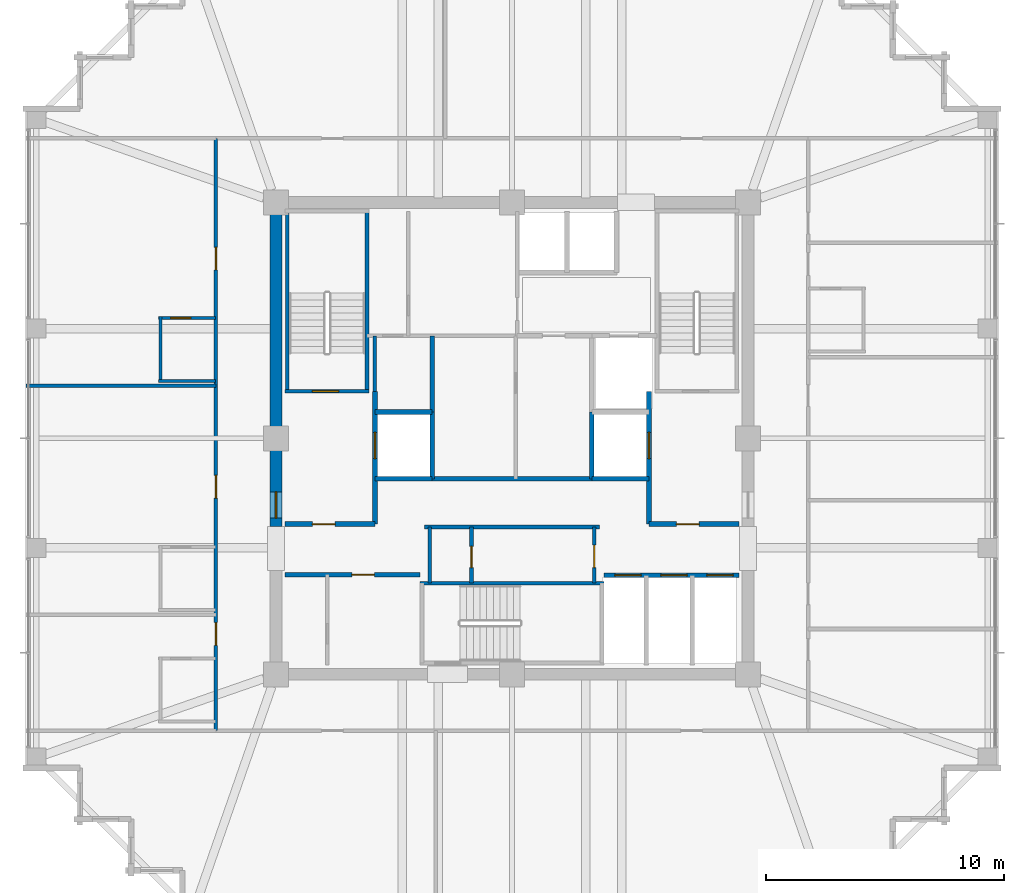
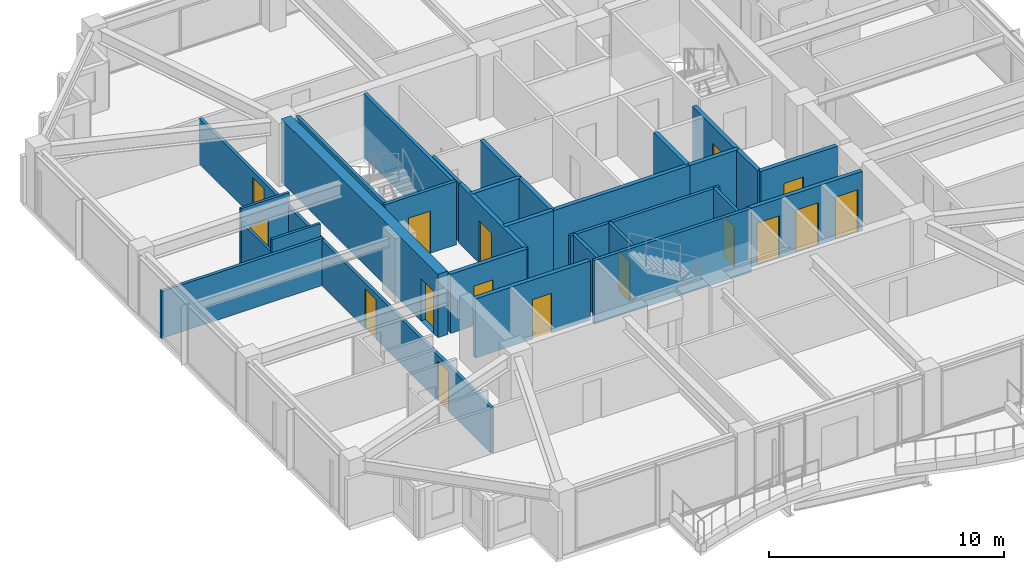
# One storey, part 31 of 36: 28 walls, 16 doors, 16 openings.
"""IFC4 building model written with IfcOpenShell, lengths in metres."""

from ifc_helpers import new_model, si_unit, direction, frame, frame_2d, origin, place, context, subcontext, project, spatial, rectangle, extrude, material, layer, layer_set, type_object, element, fill, save


model = new_model("IFC4")

# Units and contexts
model_context = context("Model", 3, precision=1e-05, world=origin(), true_north=direction((0.0, 1.0)))
body_context = subcontext(model_context, "Body", "Model", "MODEL_VIEW")
ifc_project = project(units=[si_unit("LENGTHUNIT", "METRE"), si_unit("AREAUNIT", "SQUARE_METRE"), si_unit("VOLUMEUNIT", "CUBIC_METRE"), si_unit("PLANEANGLEUNIT", "RADIAN"), si_unit("MASSUNIT", "GRAM", prefix="KILO")], contexts=[model_context])

# Site, building, storey
site_placement = place(None, origin())
site = spatial("IfcSite", under=ifc_project, at=site_placement, CompositionType="ELEMENT")
building_placement = place(site_placement, origin())
building = spatial("IfcBuilding", under=site, at=building_placement, Name="Kolvaren Belvedere", CompositionType="ELEMENT")
storey_placement = place(building_placement, frame((0.0, 0.0, 193.199951171875)))
storey = spatial("IfcBuildingStorey", under=building, at=storey_placement, Name="L56", CompositionType="ELEMENT", Elevation=193.199951171875)

# Wall, opening, door
ifc_material_1 = material(Name="Concrete C50/60", Category="concrete")
ifc_layer_1 = layer(ifc_material_1, 0.5)
ifc_layer_set_1 = layer_set([ifc_layer_1], Name="Concrete C50/60")
wall_type_1 = type_object("IfcWallType", Name="CW-CORE-500", PredefinedType="SHEAR", material=ifc_layer_set_1)
wall_1_placement = place(storey_placement, frame((-9.89990234375, -3.699951171875, 0.0), z_axis=(0.0, 0.0, 1.0), x_axis=(0.0, 1.0, 0.0)))
wall_1 = element("IfcWall", 1, at=wall_1_placement, inside=storey, type_object=wall_type_1, Name="L56 West Core Shear Wall 2", PredefinedType="SHEAR", context=body_context, shape_type="SweptSolid", body=[
    extrude(rectangle(XDim=13.349853515625, YDim=0.5, at=frame_2d((6.6748046875, 0.0))), origin(), (0.0, 0.0, 1.0), 3.300048828125),
])
opening_1_placement = place(wall_1_placement, frame((0.35009765625, 0.0, 0.0)))
opening_1 = element("IfcOpeningElement", 2, at=opening_1_placement, cuts=wall_1, Name="Opening D-FD90", PredefinedType="OPENING", context=body_context, shape_type="SweptSolid", body=[
    extrude(rectangle(XDim=1.10009765625, YDim=2.199951171875, at=frame_2d((0.550048828125, 1.10009765625))), frame((0.0, 0.260009765625, 0.0), z_axis=(0.0, -1.0, 0.0), x_axis=(1.0, 0.0, 0.0)), (0.0, 0.0, 1.0), 0.52001953125),
])
ifc_material_2 = material(Name="Painted hollow stainless steel", Category="steel")
door_type_1 = type_object("IfcDoorType", Name="DR-FD90-1100", OperationType="NOTDEFINED", PredefinedType="DOOR", material=ifc_material_2)
door_1_placement = place(opening_1_placement, origin())
door_1 = element("IfcDoor", 3, at=door_1_placement, inside=storey, type_object=door_type_1, Name="L56 West Firefighting Lobby Fire Door", OperationType="SINGLE_SWING_LEFT", OverallHeight=2.199951171875, OverallWidth=1.10009765625, PredefinedType="DOOR", context=body_context, shape_type="SweptSolid", body=[
    extrude(rectangle(XDim=1.10009765625, YDim=2.199951171875, at=frame_2d((0.550048828125, 1.10009765625))), frame((0.0, 0.02490234375, 0.0), z_axis=(0.0, -1.0, 0.0), x_axis=(1.0, 0.0, 0.0)), (0.0, 0.0, 1.0), 0.050048828125),
])
fill(opening_1, door_1)

ifc_material_3 = material(Name="Concrete C50/60", Category="concrete")
ifc_layer_2 = layer(ifc_material_3, 0.159912109375)
ifc_layer_set_2 = layer_set([ifc_layer_2], Name="Concrete C50/60")
wall_type_2 = type_object("IfcWallType", Name="CW-STAIR-160", PredefinedType="SHEAR", material=ifc_layer_set_2)
wall_2_placement = place(storey_placement, frame((-9.52001953125, 1.969970703125, 0.0), z_axis=(0.0, 0.0, 1.0), x_axis=(1.0, 0.0, 0.0)))
wall_2 = element("IfcWall", 4, at=wall_2_placement, inside=storey, type_object=wall_type_2, Name="L56 Stair ST-1 South Shear Wall", PredefinedType="SHEAR", context=body_context, shape_type="SweptSolid", body=[
    extrude(rectangle(XDim=3.52001953125, YDim=0.159912109375, at=frame_2d((1.760009765625, 0.0))), origin(), (0.0, 0.0, 1.0), 3.300048828125),
])
opening_2_placement = place(wall_2_placement, frame((1.14990234375, 0.0, 0.0)))
opening_2 = element("IfcOpeningElement", 5, at=opening_2_placement, cuts=wall_2, Name="Opening D-FD90", PredefinedType="OPENING", context=body_context, shape_type="SweptSolid", body=[
    extrude(rectangle(XDim=1.10009765625, YDim=2.199951171875, at=frame_2d((0.550048828125, 1.10009765625))), frame((0.0, 0.08984375, 0.0), z_axis=(0.0, -1.0, 0.0), x_axis=(1.0, 0.0, 0.0)), (0.0, 0.0, 1.0), 0.179931640625),
])
door_2_placement = place(opening_2_placement, origin())
door_2 = element("IfcDoor", 6, at=door_2_placement, inside=storey, type_object=door_type_1, Name="L56 Stair ST-1 Fire Door", OperationType="SINGLE_SWING_LEFT", OverallHeight=2.199951171875, OverallWidth=1.10009765625, PredefinedType="DOOR", context=body_context, shape_type="SweptSolid", body=[
    extrude(rectangle(XDim=1.10009765625, YDim=2.199951171875, at=frame_2d((0.550048828125, 1.10009765625))), frame((0.0, 0.02490234375, 0.0), z_axis=(0.0, -1.0, 0.0), x_axis=(1.0, 0.0, 0.0)), (0.0, 0.0, 1.0), 0.050048828125),
])
fill(opening_2, door_2)

# Walls
for number, where, z_axis, x_axis, name in (
    (7, (-9.429931640625, 1.969970703125, 0.0), (0.0, 0.0, 1.0), (0.0, 1.0, 0.0), "L56 Stair ST-1 West Shear Wall"),
    (8, (-6.080078125, 1.969970703125, 0.0), (0.0, 0.0, 1.0), (0.0, 1.0, 0.0), "L56 Stair ST-1 East Shear Wall"),
):
    element("IfcWall", number, at=place(storey_placement, frame(where, z_axis=z_axis, x_axis=x_axis)), inside=storey, type_object=wall_type_2, Name=name, PredefinedType="SHEAR", context=body_context, shape_type="SweptSolid", body=[
        extrude(rectangle(XDim=7.56005859375, YDim=0.159912109375, at=frame_2d((3.780029296875, 0.0))), origin(), (0.0, 0.0, 1.0), 3.300048828125),
    ])
wall_3_placement = place(storey_placement, frame((-3.860107421875, -6.080078125, 0.0), z_axis=(0.0, 0.0, 1.0), x_axis=(1.0, 0.0, 0.0)))
element("IfcWall", 9, at=wall_3_placement, inside=storey, type_object=wall_type_2, Name="L56 Stair ST-3 North Shear Wall", PredefinedType="SHEAR", context=body_context, shape_type="SweptSolid", body=[
    extrude(rectangle(XDim=7.72021484375, YDim=0.159912109375, at=frame_2d((3.860107421875, 0.0))), origin(), (0.0, 0.0, 1.0), 3.300048828125),
])

# Wall, openings, doors
ifc_material_4 = material(Name="Gypsum fire-rated partition assembly", Category="gypsum")
ifc_layer_3 = layer(ifc_material_4, 0.14990234375)
ifc_layer_set_3 = layer_set([ifc_layer_3], Name="Gypsum fire-rated partition assembly")
wall_type_3 = type_object("IfcWallType", Name="WL-CORR-150", PredefinedType="PARTITIONING", material=ifc_layer_set_3)
wall_4_placement = place(storey_placement, frame((-12.419921875, -12.260009765625, 0.0), z_axis=(0.0, 0.0, 1.0), x_axis=(0.0, 1.0, 0.0)))
wall_4 = element("IfcWall", 10, at=wall_4_placement, inside=storey, type_object=wall_type_3, Name="L56 West Corridor Wall", PredefinedType="PARTITIONING", context=body_context, shape_type="SweptSolid", body=[
    extrude(rectangle(XDim=24.840087890625, YDim=0.14990234375, at=frame_2d((12.419921875, 0.0))), origin(), (0.0, 0.0, 1.0), 2.369140625),
])
opening_3_placement = place(wall_4_placement, frame((3.572509765625, 0.0, 0.0)))
opening_3 = element("IfcOpeningElement", 11, at=opening_3_placement, cuts=wall_4, Name="Opening D-FD60", PredefinedType="OPENING", context=body_context, shape_type="SweptSolid", body=[
    extrude(rectangle(XDim=0.949951171875, YDim=2.06005859375, at=frame_2d((0.47509765625, 1.030029296875))), frame((0.0, 0.0849609375, 0.0), z_axis=(0.0, -1.0, 0.0), x_axis=(1.0, 0.0, 0.0)), (0.0, 0.0, 1.0), 0.169921875),
])
opening_4_placement = place(wall_4_placement, frame((9.7548828125, 0.0, 0.0)))
opening_4 = element("IfcOpeningElement", 12, at=opening_4_placement, cuts=wall_4, Name="Opening D-FD60", PredefinedType="OPENING", context=body_context, shape_type="SweptSolid", body=[
    extrude(rectangle(XDim=0.949951171875, YDim=2.06005859375, at=frame_2d((0.47509765625, 1.030029296875))), frame((0.0, 0.0849609375, 0.0), z_axis=(0.0, -1.0, 0.0), x_axis=(1.0, 0.0, 0.0)), (0.0, 0.0, 1.0), 0.169921875),
])
opening_5_placement = place(wall_4_placement, frame((19.320068359375, 0.0, 0.0)))
opening_5 = element("IfcOpeningElement", 13, at=opening_5_placement, cuts=wall_4, Name="Opening D-FD60", PredefinedType="OPENING", context=body_context, shape_type="SweptSolid", body=[
    extrude(rectangle(XDim=0.949951171875, YDim=2.06005859375, at=frame_2d((0.47509765625, 1.030029296875))), frame((0.0, 0.0849609375, 0.0), z_axis=(0.0, -1.0, 0.0), x_axis=(1.0, 0.0, 0.0)), (0.0, 0.0, 1.0), 0.169921875),
])
ifc_material_5 = material(Name="Acoustic white-oak fire door leaf", Category="timber")
door_type_2 = type_object("IfcDoorType", Name="DR-FD60-950", OperationType="NOTDEFINED", PredefinedType="DOOR", material=ifc_material_5)
door_3_placement = place(opening_3_placement, origin())
door_3 = element("IfcDoor", 14, at=door_3_placement, inside=storey, type_object=door_type_2, Name="L56 Botanical Hospitality Suite 5608 Entry Door", OperationType="SINGLE_SWING_LEFT", OverallHeight=2.06005859375, OverallWidth=0.949951171875, PredefinedType="DOOR", context=body_context, shape_type="SweptSolid", body=[
    extrude(rectangle(XDim=0.949951171875, YDim=2.06005859375, at=frame_2d((0.47509765625, 1.030029296875))), frame((0.0, 0.02490234375, 0.0), z_axis=(0.0, -1.0, 0.0), x_axis=(1.0, 0.0, 0.0)), (0.0, 0.0, 1.0), 0.050048828125),
])
fill(opening_3, door_3)
door_4_placement = place(opening_4_placement, origin())
door_4 = element("IfcDoor", 15, at=door_4_placement, inside=storey, type_object=door_type_2, Name="L56 Panoramic Corner Hospitality Suite 5609 Entry Door", OperationType="SINGLE_SWING_LEFT", OverallHeight=2.06005859375, OverallWidth=0.949951171875, PredefinedType="DOOR", context=body_context, shape_type="SweptSolid", body=[
    extrude(rectangle(XDim=0.949951171875, YDim=2.06005859375, at=frame_2d((0.47509765625, 1.030029296875))), frame((0.0, 0.02490234375, 0.0), z_axis=(0.0, -1.0, 0.0), x_axis=(1.0, 0.0, 0.0)), (0.0, 0.0, 1.0), 0.050048828125),
])
fill(opening_4, door_4)
door_5_placement = place(opening_5_placement, origin())
door_5 = element("IfcDoor", 16, at=door_5_placement, inside=storey, type_object=door_type_2, Name="L56 Panoramic Corner Hospitality Suite 5610 Entry Door", OperationType="SINGLE_SWING_LEFT", OverallHeight=2.06005859375, OverallWidth=0.949951171875, PredefinedType="DOOR", context=body_context, shape_type="SweptSolid", body=[
    extrude(rectangle(XDim=0.949951171875, YDim=2.06005859375, at=frame_2d((0.47509765625, 1.030029296875))), frame((0.0, 0.02490234375, 0.0), z_axis=(0.0, -1.0, 0.0), x_axis=(1.0, 0.0, 0.0)), (0.0, 0.0, 1.0), 0.050048828125),
])
fill(opening_5, door_5)

# Wall
ifc_material_6 = material(Name="Gypsum acoustic partition assembly", Category="gypsum")
ifc_layer_4 = layer(ifc_material_6, 0.14990234375)
ifc_layer_set_4 = layer_set([ifc_layer_4], Name="Gypsum acoustic partition assembly")
wall_type_4 = type_object("IfcWallType", Name="WL-PART-150", PredefinedType="PARTITIONING", material=ifc_layer_set_4)
wall_5_placement = place(storey_placement, frame((-3.679931640625, -3.719970703125, 0.0), z_axis=(0.0, 0.0, 1.0), x_axis=(1.0, 0.0, 0.0)))
element("IfcWall", 17, at=wall_5_placement, inside=storey, type_object=wall_type_4, Name="L56 South Core Service North Wall", PredefinedType="PARTITIONING", context=body_context, shape_type="SweptSolid", body=[
    extrude(rectangle(XDim=7.35986328125, YDim=0.14990234375, at=frame_2d((3.679931640625, 0.0))), origin(), (0.0, 0.0, 1.0), 3.080078125),
])

# Wall, opening, door
wall_6_placement = place(storey_placement, frame((3.449951171875, -6.080078125, 0.0), z_axis=(0.0, 0.0, 1.0), x_axis=(0.0, 1.0, 0.0)))
wall_6 = element("IfcWall", 18, at=wall_6_placement, inside=storey, type_object=wall_type_4, Name="L56 South Core Service East Wall", PredefinedType="PARTITIONING", context=body_context, shape_type="SweptSolid", body=[
    extrude(rectangle(XDim=2.360107421875, YDim=0.14990234375, at=frame_2d((1.18017578125, 0.0))), origin(), (0.0, 0.0, 1.0), 3.080078125),
])
opening_6_placement = place(wall_6_placement, frame((0.64990234375, 0.0, 0.0)))
opening_6 = element("IfcOpeningElement", 19, at=opening_6_placement, cuts=wall_6, Name="Opening D-FD60", PredefinedType="OPENING", context=body_context, shape_type="SweptSolid", body=[
    extrude(rectangle(XDim=0.949951171875, YDim=2.06005859375, at=frame_2d((0.47509765625, 1.030029296875))), frame((0.0, 0.0849609375, 0.0), z_axis=(0.0, -1.0, 0.0), x_axis=(1.0, 0.0, 0.0)), (0.0, 0.0, 1.0), 0.169921875),
])
door_6_placement = place(opening_6_placement, origin())
door_6 = element("IfcDoor", 20, at=door_6_placement, inside=storey, type_object=door_type_2, Name="L56 Core Service Room Door", OperationType="SINGLE_SWING_LEFT", OverallHeight=2.06005859375, OverallWidth=0.949951171875, PredefinedType="DOOR", context=body_context, shape_type="SweptSolid", body=[
    extrude(rectangle(XDim=0.949951171875, YDim=2.06005859375, at=frame_2d((0.47509765625, 1.030029296875))), frame((0.0, 0.02490234375, 0.0), z_axis=(0.0, -1.0, 0.0), x_axis=(1.0, 0.0, 0.0)), (0.0, 0.0, 1.0), 0.050048828125),
])
fill(opening_6, door_6)

# Wall
wall_7_placement = place(storey_placement, frame((-3.449951171875, -6.080078125, 0.0), z_axis=(0.0, 0.0, 1.0), x_axis=(0.0, 1.0, 0.0)))
element("IfcWall", 21, at=wall_7_placement, inside=storey, type_object=wall_type_4, Name="L56 South Core Service West Wall", PredefinedType="PARTITIONING", context=body_context, shape_type="SweptSolid", body=[
    extrude(rectangle(XDim=2.360107421875, YDim=0.14990234375, at=frame_2d((1.18017578125, 0.0))), origin(), (0.0, 0.0, 1.0), 3.080078125),
])

# Wall, opening, door
wall_8_placement = place(storey_placement, frame((-1.699951171875, -6.080078125, 0.0), z_axis=(0.0, 0.0, 1.0), x_axis=(0.0, 1.0, 0.0)))
wall_8 = element("IfcWall", 22, at=wall_8_placement, inside=storey, type_object=wall_type_4, Name="L56 Core Service Divider", PredefinedType="PARTITIONING", context=body_context, shape_type="SweptSolid", body=[
    extrude(rectangle(XDim=2.360107421875, YDim=0.14990234375, at=frame_2d((1.18017578125, 0.0))), origin(), (0.0, 0.0, 1.0), 3.080078125),
])
opening_7_placement = place(wall_8_placement, frame((0.64990234375, 0.0, 0.0)))
opening_7 = element("IfcOpeningElement", 23, at=opening_7_placement, cuts=wall_8, Name="Opening D-INT90", PredefinedType="OPENING", context=body_context, shape_type="SweptSolid", body=[
    extrude(rectangle(XDim=0.89990234375, YDim=2.06005859375, at=frame_2d((0.449951171875, 1.030029296875))), frame((0.0, 0.0849609375, 0.0), z_axis=(0.0, -1.0, 0.0), x_axis=(1.0, 0.0, 0.0)), (0.0, 0.0, 1.0), 0.169921875),
])
ifc_material_7 = material(Name="Stained Pacific white oak", Category="timber")
door_type_3 = type_object("IfcDoorType", Name="DR-INT-900", OperationType="NOTDEFINED", PredefinedType="DOOR", material=ifc_material_7)
door_7_placement = place(opening_7_placement, origin())
door_7 = element("IfcDoor", 24, at=door_7_placement, inside=storey, type_object=door_type_3, Name="L56 Telecom Inner Door", OperationType="SINGLE_SWING_RIGHT", OverallHeight=2.06005859375, OverallWidth=0.89990234375, PredefinedType="DOOR", context=body_context, shape_type="SweptSolid", body=[
    extrude(rectangle(XDim=0.89990234375, YDim=2.06005859375, at=frame_2d((0.449951171875, 1.030029296875))), frame((0.0, 0.02490234375, 0.0), z_axis=(0.0, -1.0, 0.0), x_axis=(1.0, 0.0, 0.0)), (0.0, 0.0, 1.0), 0.050048828125),
])
fill(opening_7, door_7)

# Walls
wall_9_placement = place(storey_placement, frame((-5.75, 1.969970703125, 0.0), z_axis=(0.0, 0.0, 1.0), x_axis=(0.0, 1.0, 0.0)))
element("IfcWall", 25, at=wall_9_placement, inside=storey, type_object=wall_type_4, Name="L56 NW Service Room West Wall", PredefinedType="PARTITIONING", context=body_context, shape_type="SweptSolid", body=[
    extrude(rectangle(XDim=2.330078125, YDim=0.14990234375, at=frame_2d((1.1650390625, 0.0))), origin(), (0.0, 0.0, 1.0), 3.080078125),
])
wall_10_placement = place(storey_placement, frame((-20.3798828125, 2.199951171875, 0.0), z_axis=(0.0, 0.0, 1.0), x_axis=(1.0, 0.0, 0.0)))
element("IfcWall", 26, at=wall_10_placement, inside=storey, type_object=wall_type_4, Name="L56 West Suite Demising Wall 2", PredefinedType="PARTITIONING", context=body_context, shape_type="SweptSolid", body=[
    extrude(rectangle(XDim=7.9599609375, YDim=0.14990234375, at=frame_2d((3.97998046875, 0.0))), origin(), (0.0, 0.0, 1.0), 2.453125),
])

# Wall, opening, door
ifc_material_8 = material(Name="Concrete C50/60", Category="concrete")
ifc_layer_5 = layer(ifc_material_8, 0.199951171875)
ifc_layer_set_5 = layer_set([ifc_layer_5], Name="Concrete C50/60")
wall_type_5 = type_object("IfcWallType", Name="WL-SHAFT-200", PredefinedType="SOLIDWALL", material=ifc_layer_set_5)
wall_11_placement = place(storey_placement, frame((-9.52001953125, -3.60009765625, 0.0), z_axis=(0.0, 0.0, 1.0), x_axis=(1.0, 0.0, 0.0)))
wall_11 = element("IfcWall", 27, at=wall_11_placement, inside=storey, type_object=wall_type_5, Name="L56 West FSAE Lobby South Wall", PredefinedType="SOLIDWALL", context=body_context, shape_type="SweptSolid", body=[
    extrude(rectangle(XDim=3.77001953125, YDim=0.199951171875, at=frame_2d((1.885009765625, 0.0))), origin(), (0.0, 0.0, 1.0), 3.080078125),
])
opening_8_placement = place(wall_11_placement, frame((1.14990234375, 0.0, 0.0)))
opening_8 = element("IfcOpeningElement", 28, at=opening_8_placement, cuts=wall_11, Name="Opening D-FD60", PredefinedType="OPENING", context=body_context, shape_type="SweptSolid", body=[
    extrude(rectangle(XDim=0.949951171875, YDim=2.06005859375, at=frame_2d((0.47509765625, 1.030029296875))), frame((0.0, 0.10986328125, 0.0), z_axis=(0.0, -1.0, 0.0), x_axis=(1.0, 0.0, 0.0)), (0.0, 0.0, 1.0), 0.219970703125),
])
door_8_placement = place(opening_8_placement, origin())
door_8 = element("IfcDoor", 29, at=door_8_placement, inside=storey, type_object=door_type_2, Name="L56 SW Lobby Fire Door", OperationType="SINGLE_SWING_LEFT", OverallHeight=2.06005859375, OverallWidth=0.949951171875, PredefinedType="DOOR", context=body_context, shape_type="SweptSolid", body=[
    extrude(rectangle(XDim=0.949951171875, YDim=2.06005859375, at=frame_2d((0.47509765625, 1.030029296875))), frame((0.0, 0.02490234375, 0.0), z_axis=(0.0, -1.0, 0.0), x_axis=(1.0, 0.0, 0.0)), (0.0, 0.0, 1.0), 0.050048828125),
])
fill(opening_8, door_8)

wall_12_placement = place(storey_placement, frame((-5.75, -3.60009765625, 0.0), z_axis=(0.0, 0.0, 1.0), x_axis=(0.0, 1.0, 0.0)))
wall_12 = element("IfcWall", 30, at=wall_12_placement, inside=storey, type_object=wall_type_5, Name="L56 FSAE FS1 Landing Wall", PredefinedType="SOLIDWALL", context=body_context, shape_type="SweptSolid", body=[
    extrude(rectangle(XDim=5.570068359375, YDim=0.199951171875, at=frame_2d((2.78515625, 0.0))), origin(), (0.0, 0.0, 1.0), 3.080078125),
])
opening_9_placement = place(wall_12_placement, frame((2.75, 0.0, 0.0)))
opening_9 = element("IfcOpeningElement", 31, at=opening_9_placement, cuts=wall_12, Name="Opening LD-11", PredefinedType="OPENING", context=body_context, shape_type="SweptSolid", body=[
    extrude(rectangle(XDim=1.10009765625, YDim=2.199951171875, at=frame_2d((0.550048828125, 1.10009765625))), frame((0.0, 0.10986328125, 0.0), z_axis=(0.0, -1.0, 0.0), x_axis=(1.0, 0.0, 0.0)), (0.0, 0.0, 1.0), 0.219970703125),
])
ifc_material_9 = material(Name="Brushed stainless steel", Category="steel")
door_type_4 = type_object("IfcDoorType", Name="DR-LIFT-1100", OperationType="DOUBLE_DOOR_SLIDING", PredefinedType="DOOR", material=ifc_material_9)
door_9_placement = place(opening_9_placement, origin())
door_9 = element("IfcDoor", 32, at=door_9_placement, inside=storey, type_object=door_type_4, Name="L56 Firefighting Lift FS1 Landing Door", OperationType="DOUBLE_DOOR_SLIDING", OverallHeight=2.199951171875, OverallWidth=1.10009765625, PredefinedType="DOOR", context=body_context, shape_type="SweptSolid", body=[
    extrude(rectangle(XDim=1.10009765625, YDim=2.199951171875, at=frame_2d((0.550048828125, 1.10009765625))), frame((0.0, 0.02490234375, 0.0), z_axis=(0.0, -1.0, 0.0), x_axis=(1.0, 0.0, 0.0)), (0.0, 0.0, 1.0), 0.050048828125),
])
fill(opening_9, door_9)

# Walls
wall_13_placement = place(storey_placement, frame((-3.35009765625, -1.699951171875, 0.0), z_axis=(0.0, 0.0, 1.0), x_axis=(0.0, 1.0, 0.0)))
element("IfcWall", 33, at=wall_13_placement, inside=storey, type_object=wall_type_5, Name="L56 FSAE FS1 Back Wall", PredefinedType="SOLIDWALL", context=body_context, shape_type="SweptSolid", body=[
    extrude(rectangle(XDim=2.800048828125, YDim=0.199951171875, at=frame_2d((1.39990234375, 0.0))), origin(), (0.0, 0.0, 1.0), 3.080078125),
])
for number, where, z_axis, x_axis, name in (
    (34, (-5.75, -1.699951171875, 0.0), (0.0, 0.0, 1.0), (1.0, 0.0, 0.0), "L56 FSAE FS1 South Wall"),
    (35, (-5.75, 1.10009765625, 0.0), (0.0, 0.0, 1.0), (1.0, 0.0, 0.0), "L56 FSAE FS1 North Wall"),
):
    element("IfcWall", number, at=place(storey_placement, frame(where, z_axis=z_axis, x_axis=x_axis)), inside=storey, type_object=wall_type_5, Name=name, PredefinedType="SOLIDWALL", context=body_context, shape_type="SweptSolid", body=[
        extrude(rectangle(XDim=2.39990234375, YDim=0.199951171875, at=frame_2d((1.199951171875, 0.0))), origin(), (0.0, 0.0, 1.0), 3.080078125),
    ])

# Wall, opening, door
wall_14_placement = place(storey_placement, frame((5.75, -3.60009765625, 0.0), z_axis=(0.0, 0.0, 1.0), x_axis=(1.0, 0.0, 0.0)))
wall_14 = element("IfcWall", 36, at=wall_14_placement, inside=storey, type_object=wall_type_5, Name="L56 East FSAE Lobby South Wall", PredefinedType="SOLIDWALL", context=body_context, shape_type="SweptSolid", body=[
    extrude(rectangle(XDim=3.77001953125, YDim=0.199951171875, at=frame_2d((1.885009765625, 0.0))), origin(), (0.0, 0.0, 1.0), 3.080078125),
])
opening_10_placement = place(wall_14_placement, frame((1.14990234375, 0.0, 0.0)))
opening_10 = element("IfcOpeningElement", 37, at=opening_10_placement, cuts=wall_14, Name="Opening D-FD60", PredefinedType="OPENING", context=body_context, shape_type="SweptSolid", body=[
    extrude(rectangle(XDim=0.949951171875, YDim=2.06005859375, at=frame_2d((0.47509765625, 1.030029296875))), frame((0.0, 0.10986328125, 0.0), z_axis=(0.0, -1.0, 0.0), x_axis=(1.0, 0.0, 0.0)), (0.0, 0.0, 1.0), 0.219970703125),
])
door_10_placement = place(opening_10_placement, origin())
door_10 = element("IfcDoor", 38, at=door_10_placement, inside=storey, type_object=door_type_2, Name="L56 SE Lift Lobby Fire Door", OperationType="SINGLE_SWING_RIGHT", OverallHeight=2.06005859375, OverallWidth=0.949951171875, PredefinedType="DOOR", context=body_context, shape_type="SweptSolid", body=[
    extrude(rectangle(XDim=0.949951171875, YDim=2.06005859375, at=frame_2d((0.47509765625, 1.030029296875))), frame((0.0, 0.02490234375, 0.0), z_axis=(0.0, -1.0, 0.0), x_axis=(1.0, 0.0, 0.0)), (0.0, 0.0, 1.0), 0.050048828125),
])
fill(opening_10, door_10)

wall_15_placement = place(storey_placement, frame((5.75, -3.60009765625, 0.0), z_axis=(0.0, 0.0, 1.0), x_axis=(0.0, 1.0, 0.0)))
wall_15 = element("IfcWall", 39, at=wall_15_placement, inside=storey, type_object=wall_type_5, Name="L56 FSAE FS2 Landing Wall", PredefinedType="SOLIDWALL", context=body_context, shape_type="SweptSolid", body=[
    extrude(rectangle(XDim=5.570068359375, YDim=0.199951171875, at=frame_2d((2.78515625, 0.0))), origin(), (0.0, 0.0, 1.0), 3.080078125),
])
opening_11_placement = place(wall_15_placement, frame((2.75, 0.0, 0.0)))
opening_11 = element("IfcOpeningElement", 40, at=opening_11_placement, cuts=wall_15, Name="Opening LD-11", PredefinedType="OPENING", context=body_context, shape_type="SweptSolid", body=[
    extrude(rectangle(XDim=1.10009765625, YDim=2.199951171875, at=frame_2d((0.550048828125, 1.10009765625))), frame((0.0, 0.10986328125, 0.0), z_axis=(0.0, -1.0, 0.0), x_axis=(1.0, 0.0, 0.0)), (0.0, 0.0, 1.0), 0.219970703125),
])
door_11_placement = place(opening_11_placement, origin())
door_11 = element("IfcDoor", 41, at=door_11_placement, inside=storey, type_object=door_type_4, Name="L56 Firefighting Lift FS2 Landing Door", OperationType="DOUBLE_DOOR_SLIDING", OverallHeight=2.199951171875, OverallWidth=1.10009765625, PredefinedType="DOOR", context=body_context, shape_type="SweptSolid", body=[
    extrude(rectangle(XDim=1.10009765625, YDim=2.199951171875, at=frame_2d((0.550048828125, 1.10009765625))), frame((0.0, 0.02490234375, 0.0), z_axis=(0.0, -1.0, 0.0), x_axis=(1.0, 0.0, 0.0)), (0.0, 0.0, 1.0), 0.050048828125),
])
fill(opening_11, door_11)

# Walls
wall_16_placement = place(storey_placement, frame((3.35009765625, -1.699951171875, 0.0), z_axis=(0.0, 0.0, 1.0), x_axis=(0.0, 1.0, 0.0)))
element("IfcWall", 42, at=wall_16_placement, inside=storey, type_object=wall_type_5, Name="L56 FSAE FS2 Back Wall", PredefinedType="SOLIDWALL", context=body_context, shape_type="SweptSolid", body=[
    extrude(rectangle(XDim=2.800048828125, YDim=0.199951171875, at=frame_2d((1.39990234375, 0.0))), origin(), (0.0, 0.0, 1.0), 3.080078125),
])
wall_17_placement = place(storey_placement, frame((3.35009765625, -1.699951171875, 0.0), z_axis=(0.0, 0.0, 1.0), x_axis=(1.0, 0.0, 0.0)))
element("IfcWall", 43, at=wall_17_placement, inside=storey, type_object=wall_type_5, Name="L56 FSAE FS2 South Wall", PredefinedType="SOLIDWALL", context=body_context, shape_type="SweptSolid", body=[
    extrude(rectangle(XDim=2.39990234375, YDim=0.199951171875, at=frame_2d((1.199951171875, 0.0))), origin(), (0.0, 0.0, 1.0), 3.080078125),
])

# Wall, opening, door
wall_18_placement = place(storey_placement, frame((-9.52001953125, -5.719970703125, 0.0), z_axis=(0.0, 0.0, 1.0), x_axis=(1.0, 0.0, 0.0)))
wall_18 = element("IfcWall", 44, at=wall_18_placement, inside=storey, type_object=wall_type_5, Name="L56 Reclaimed Mid Room North Wall", PredefinedType="SOLIDWALL", context=body_context, shape_type="SweptSolid", body=[
    extrude(rectangle(XDim=5.659912109375, YDim=0.199951171875, at=frame_2d((2.830078125, 0.0))), origin(), (0.0, 0.0, 1.0), 3.080078125),
])
opening_12_placement = place(wall_18_placement, frame((2.800048828125, 0.0, 0.0)))
opening_12 = element("IfcOpeningElement", 45, at=opening_12_placement, cuts=wall_18, Name="Opening D-FD60", PredefinedType="OPENING", context=body_context, shape_type="SweptSolid", body=[
    extrude(rectangle(XDim=0.949951171875, YDim=2.06005859375, at=frame_2d((0.47509765625, 1.030029296875))), frame((0.0, 0.10986328125, 0.0), z_axis=(0.0, -1.0, 0.0), x_axis=(1.0, 0.0, 0.0)), (0.0, 0.0, 1.0), 0.219970703125),
])
door_12_placement = place(opening_12_placement, origin())
door_12 = element("IfcDoor", 46, at=door_12_placement, inside=storey, type_object=door_type_2, Name="L56 Reading Lounge Door", OperationType="SINGLE_SWING_LEFT", OverallHeight=2.06005859375, OverallWidth=0.949951171875, PredefinedType="DOOR", context=body_context, shape_type="SweptSolid", body=[
    extrude(rectangle(XDim=0.949951171875, YDim=2.06005859375, at=frame_2d((0.47509765625, 1.030029296875))), frame((0.0, 0.02490234375, 0.0), z_axis=(0.0, -1.0, 0.0), x_axis=(1.0, 0.0, 0.0)), (0.0, 0.0, 1.0), 0.050048828125),
])
fill(opening_12, door_12)

# Wall, openings, doors
wall_19_placement = place(storey_placement, frame((3.860107421875, -5.75, 0.0), z_axis=(0.0, 0.0, 1.0), x_axis=(1.0, 0.0, 0.0)))
wall_19 = element("IfcWall", 47, at=wall_19_placement, inside=storey, type_object=wall_type_5, Name="L56 High-Rise Lift Bank Front Wall", PredefinedType="SOLIDWALL", context=body_context, shape_type="SweptSolid", body=[
    extrude(rectangle(XDim=5.659912109375, YDim=0.199951171875, at=frame_2d((2.830078125, 0.0))), origin(), (0.0, 0.0, 1.0), 3.080078125),
])
opening_13_placement = place(wall_19_placement, frame((0.4599609375, 0.0, 0.0)))
opening_13 = element("IfcOpeningElement", 48, at=opening_13_placement, cuts=wall_19, Name="Opening LD-11", PredefinedType="OPENING", context=body_context, shape_type="SweptSolid", body=[
    extrude(rectangle(XDim=1.10009765625, YDim=2.199951171875, at=frame_2d((0.550048828125, 1.10009765625))), frame((0.0, 0.10986328125, 0.0), z_axis=(0.0, -1.0, 0.0), x_axis=(1.0, 0.0, 0.0)), (0.0, 0.0, 1.0), 0.219970703125),
])
opening_14_placement = place(wall_19_placement, frame((2.389892578125, 0.0, 0.0)))
opening_14 = element("IfcOpeningElement", 49, at=opening_14_placement, cuts=wall_19, Name="Opening LD-11", PredefinedType="OPENING", context=body_context, shape_type="SweptSolid", body=[
    extrude(rectangle(XDim=1.10009765625, YDim=2.199951171875, at=frame_2d((0.550048828125, 1.10009765625))), frame((0.0, 0.10986328125, 0.0), z_axis=(0.0, -1.0, 0.0), x_axis=(1.0, 0.0, 0.0)), (0.0, 0.0, 1.0), 0.219970703125),
])
opening_15_placement = place(wall_19_placement, frame((4.320068359375, 0.0, 0.0)))
opening_15 = element("IfcOpeningElement", 50, at=opening_15_placement, cuts=wall_19, Name="Opening LD-11", PredefinedType="OPENING", context=body_context, shape_type="SweptSolid", body=[
    extrude(rectangle(XDim=1.10009765625, YDim=2.199951171875, at=frame_2d((0.550048828125, 1.10009765625))), frame((0.0, 0.10986328125, 0.0), z_axis=(0.0, -1.0, 0.0), x_axis=(1.0, 0.0, 0.0)), (0.0, 0.0, 1.0), 0.219970703125),
])
door_13_placement = place(opening_13_placement, origin())
door_13 = element("IfcDoor", 51, at=door_13_placement, inside=storey, type_object=door_type_4, Name="L56 Passenger Lift P7 Landing Door", OperationType="DOUBLE_DOOR_SLIDING", OverallHeight=2.199951171875, OverallWidth=1.10009765625, PredefinedType="DOOR", context=body_context, shape_type="SweptSolid", body=[
    extrude(rectangle(XDim=1.10009765625, YDim=2.199951171875, at=frame_2d((0.550048828125, 1.10009765625))), frame((0.0, 0.02490234375, 0.0), z_axis=(0.0, -1.0, 0.0), x_axis=(1.0, 0.0, 0.0)), (0.0, 0.0, 1.0), 0.050048828125),
])
fill(opening_13, door_13)
door_14_placement = place(opening_14_placement, origin())
door_14 = element("IfcDoor", 52, at=door_14_placement, inside=storey, type_object=door_type_4, Name="L56 Passenger Lift P8 Landing Door", OperationType="DOUBLE_DOOR_SLIDING", OverallHeight=2.199951171875, OverallWidth=1.10009765625, PredefinedType="DOOR", context=body_context, shape_type="SweptSolid", body=[
    extrude(rectangle(XDim=1.10009765625, YDim=2.199951171875, at=frame_2d((0.550048828125, 1.10009765625))), frame((0.0, 0.02490234375, 0.0), z_axis=(0.0, -1.0, 0.0), x_axis=(1.0, 0.0, 0.0)), (0.0, 0.0, 1.0), 0.050048828125),
])
fill(opening_14, door_14)
door_15_placement = place(opening_15_placement, origin())
door_15 = element("IfcDoor", 53, at=door_15_placement, inside=storey, type_object=door_type_4, Name="L56 Passenger Lift P9 Landing Door", OperationType="DOUBLE_DOOR_SLIDING", OverallHeight=2.199951171875, OverallWidth=1.10009765625, PredefinedType="DOOR", context=body_context, shape_type="SweptSolid", body=[
    extrude(rectangle(XDim=1.10009765625, YDim=2.199951171875, at=frame_2d((0.550048828125, 1.10009765625))), frame((0.0, 0.02490234375, 0.0), z_axis=(0.0, -1.0, 0.0), x_axis=(1.0, 0.0, 0.0)), (0.0, 0.0, 1.0), 0.050048828125),
])
fill(opening_15, door_15)

# Walls
wall_20_placement = place(storey_placement, frame((-3.35009765625, -1.699951171875, 0.0), z_axis=(0.0, 0.0, 1.0), x_axis=(1.0, 0.0, 0.0)))
element("IfcWall", 54, at=wall_20_placement, inside=storey, type_object=wall_type_5, Name="L56 Central Core Room South Wall", PredefinedType="SOLIDWALL", context=body_context, shape_type="SweptSolid", body=[
    extrude(rectangle(XDim=6.7001953125, YDim=0.199951171875, at=frame_2d((3.35009765625, 0.0))), origin(), (0.0, 0.0, 1.0), 3.080078125),
])
wall_21_placement = place(storey_placement, frame((-3.35009765625, 1.10009765625, 0.0), z_axis=(0.0, 0.0, 1.0), x_axis=(0.0, 1.0, 0.0)))
element("IfcWall", 55, at=wall_21_placement, inside=storey, type_object=wall_type_5, Name="L56 Central Core Room West Wall", PredefinedType="SOLIDWALL", context=body_context, shape_type="SweptSolid", body=[
    extrude(rectangle(XDim=3.199951171875, YDim=0.199951171875, at=frame_2d((1.60009765625, 0.0))), origin(), (0.0, 0.0, 1.0), 3.080078125),
])

# Wall, opening, door
ifc_material_10 = material(Name="Moisture-resistant gypsum partition", Category="gypsum")
ifc_layer_6 = layer(ifc_material_10, 0.125)
ifc_layer_set_6 = layer_set([ifc_layer_6], Name="Moisture-resistant gypsum partition")
wall_type_6 = type_object("IfcWallType", Name="WL-WET-125", PredefinedType="PARTITIONING", material=ifc_layer_set_6)
wall_22_placement = place(storey_placement, frame((-14.824951171875, 5.044921875, 0.0), z_axis=(0.0, 0.0, 1.0), x_axis=(1.0, 0.0, 0.0)))
wall_22 = element("IfcWall", 56, at=wall_22_placement, inside=storey, type_object=wall_type_6, Name="L56 Bathroom Partition PW-L56-BTH-10-N", PredefinedType="PARTITIONING", context=body_context, shape_type="SweptSolid", body=[
    extrude(rectangle(XDim=2.389892578125, YDim=0.125, at=frame_2d((1.19482421875, 0.0))), origin(), (0.0, 0.0, 1.0), 3.080078125),
])
opening_16_placement = place(wall_22_placement, frame((0.5, 0.0, 0.0)))
opening_16 = element("IfcOpeningElement", 57, at=opening_16_placement, cuts=wall_22, Name="Opening D-BTH85", PredefinedType="OPENING", context=body_context, shape_type="SweptSolid", body=[
    extrude(rectangle(XDim=0.85009765625, YDim=2.030029296875, at=frame_2d((0.425048828125, 1.01513671875))), frame((0.0, 0.072509765625, 0.0), z_axis=(0.0, -1.0, 0.0), x_axis=(1.0, 0.0, 0.0)), (0.0, 0.0, 1.0), 0.14501953125),
])
ifc_material_11 = material(Name="Moisture-sealed Pacific white oak", Category="timber")
door_type_5 = type_object("IfcDoorType", Name="DR-BATH-850", OperationType="NOTDEFINED", PredefinedType="DOOR", material=ifc_material_11)
door_16_placement = place(opening_16_placement, origin())
door_16 = element("IfcDoor", 58, at=door_16_placement, inside=storey, type_object=door_type_5, Name="L56 En-Suite Bathroom 5610 Door", OperationType="SINGLE_SWING_RIGHT", OverallHeight=2.030029296875, OverallWidth=0.85009765625, PredefinedType="DOOR", context=body_context, shape_type="SweptSolid", body=[
    extrude(rectangle(XDim=0.85009765625, YDim=2.030029296875, at=frame_2d((0.425048828125, 1.01513671875))), frame((0.0, 0.02490234375, 0.0), z_axis=(0.0, -1.0, 0.0), x_axis=(1.0, 0.0, 0.0)), (0.0, 0.0, 1.0), 0.050048828125),
])
fill(opening_16, door_16)

# Walls
wall_23_placement = place(storey_placement, frame((-14.7451171875, 2.3349609375, 0.0), z_axis=(0.0, 0.0, 1.0), x_axis=(0.0, 1.0, 0.0)))
element("IfcWall", 59, at=wall_23_placement, inside=storey, type_object=wall_type_6, Name="L56 Bathroom Partition PW-L56-BTH-10-V", PredefinedType="PARTITIONING", context=body_context, shape_type="SweptSolid", body=[
    extrude(rectangle(XDim=2.77001953125, YDim=0.125, at=frame_2d((1.385009765625, 0.0))), origin(), (0.0, 0.0, 1.0), 2.369140625),
])
wall_24_placement = place(storey_placement, frame((-14.824951171875, 2.39501953125, 0.0), z_axis=(0.0, 0.0, 1.0), x_axis=(1.0, 0.0, 0.0)))
element("IfcWall", 60, at=wall_24_placement, inside=storey, type_object=wall_type_6, Name="L56 Bathroom Partition PW-L56-BTH-10-S", PredefinedType="PARTITIONING", context=body_context, shape_type="SweptSolid", body=[
    extrude(rectangle(XDim=2.389892578125, YDim=0.125, at=frame_2d((1.19482421875, 0.0))), origin(), (0.0, 0.0, 1.0), 3.080078125),
])

save(model, "model.ifc")
